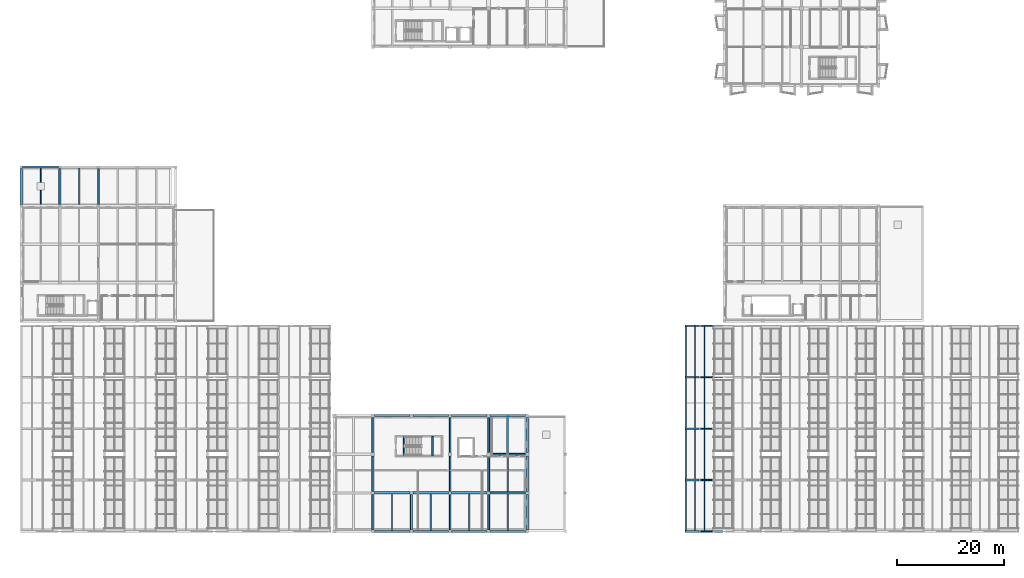
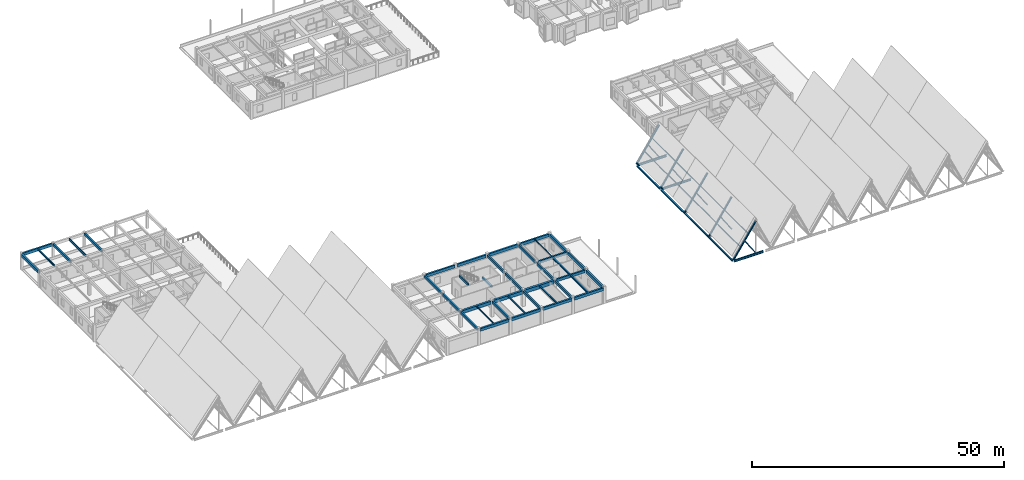
# One storey, part 29 of 99: 45 beams, 14 members.
"""IFC4 building model written with IfcOpenShell, lengths in metres."""

from ifc_helpers import new_model, si_unit, direction, frame, origin, origin_2d, place, context, subcontext, project, spatial, rectangle, hollow_rectangle, i_section, extrude, material, material_profile, profile_set, type_object, element, save


model = new_model("IFC4")

# Units and contexts
model_context = context("Model", 3, precision=1e-05, world=origin(), true_north=direction((0.0, 1.0)))
body_context = subcontext(model_context, "Body", "Model", "MODEL_VIEW")
ifc_project = project(units=[si_unit("LENGTHUNIT", "METRE"), si_unit("AREAUNIT", "SQUARE_METRE"), si_unit("VOLUMEUNIT", "CUBIC_METRE"), si_unit("PLANEANGLEUNIT", "RADIAN"), si_unit("MASSUNIT", "GRAM", prefix="KILO")], contexts=[model_context])

# Site, building, storey
site_placement = place(None, origin())
site = spatial("IfcSite", under=ifc_project, at=site_placement, CompositionType="ELEMENT")
building_placement = place(site_placement, origin())
building = spatial("IfcBuilding", under=site, at=building_placement, Name="Bramveld Media Centre", CompositionType="ELEMENT")
storey_placement = place(building_placement, frame((0.0, 0.0, 13.800048828125)))
storey = spatial("IfcBuildingStorey", under=building, at=storey_placement, Name="L03", CompositionType="ELEMENT", Elevation=13.800048828125)

# Beams
ifc_material_1 = material(Name="Concrete C40/50", Category="concrete")
ifc_material_profile_1 = material_profile(ifc_material_1, rectangle(XDim=0.300048828125, YDim=0.5, at=origin_2d()), Name="RC 300x500")
ifc_profile_set_1 = profile_set([ifc_material_profile_1], Name="Concrete C40/50")
beam_type_1 = type_object("IfcBeamType", Name="BM-INT-RC-300x500", PredefinedType="BEAM", material=ifc_profile_set_1)
for number, where, z_axis, x_axis, name in (
    (1, (71.449951171875, 14.10009765625, 3.949951171875), (0.0, 1.0, 0.0), (-1.0, 0.0, 0.0), "ST-06 L04 stairwell landing trimmer beam"),
    (2, (76.75, 14.10009765625, 1.64990234375), (0.0, 1.0, 0.0), (-1.0, 0.0, 0.0), "ST-06 L03 stairwell half-landing support beam"),
):
    element("IfcBeam", number, at=place(storey_placement, frame(where, z_axis=z_axis, x_axis=x_axis)), inside=storey, type_object=beam_type_1, Name=name, PredefinedType="BEAM", context=body_context, shape_type="SweptSolid", body=[
        extrude(rectangle(XDim=0.300048828125, YDim=0.5, at=origin_2d()), origin(), (0.0, 0.0, 1.0), 3.64990234375),
    ])
ifc_material_2 = material(Name="Concrete C40/50", Category="concrete")
ifc_material_profile_2 = material_profile(ifc_material_2, rectangle(XDim=0.35009765625, YDim=0.60009765625, at=origin_2d()), Name="RC 350x600")
ifc_profile_set_2 = profile_set([ifc_material_profile_2], Name="Concrete C40/50")
beam_type_2 = type_object("IfcBeamType", Name="BM-INT-RC-350x600", PredefinedType="BEAM", material=ifc_profile_set_2)
for number, where, z_axis, x_axis, name in (
    (3, (7.199951171875, 61.02490234375, 3.659912109375), (0.0, 1.0, 0.0), (-1.0, 0.0, 0.0), "V3 L03 girder Y-415"),
    (4, (14.39990234375, 61.02490234375, 3.659912109375), (0.0, 1.0, 0.0), (-1.0, 0.0, 0.0), "V3 L03 girder Y-419"),
):
    element("IfcBeam", number, at=place(storey_placement, frame(where, z_axis=z_axis, x_axis=x_axis)), inside=storey, type_object=beam_type_2, Name=name, PredefinedType="BEAM", context=body_context, shape_type="SweptSolid", body=[
        extrude(rectangle(XDim=0.35009765625, YDim=0.60009765625, at=origin_2d()), origin(), (0.0, 0.0, 1.0), 6.735107421875),
    ])
beam_1_placement = place(storey_placement, frame((65.60009765625, 0.2900390625, 3.579833984375), z_axis=(0.0, 1.0, 0.0), x_axis=(-1.0, 0.0, 0.0)))
element("IfcBeam", 5, at=beam_1_placement, inside=storey, type_object=beam_type_2, Name="V5 L03 girder Y-850", PredefinedType="BEAM", context=body_context, shape_type="SweptSolid", body=[
    extrude(rectangle(XDim=0.35009765625, YDim=0.60009765625, at=origin_2d()), origin(), (0.0, 0.0, 1.0), 6.60986328125),
])
beam_2_placement = place(storey_placement, frame((65.60009765625, 7.5, 3.579833984375), z_axis=(0.0, 1.0, 0.0), x_axis=(-1.0, 0.0, 0.0)))
element("IfcBeam", 6, at=beam_2_placement, inside=storey, type_object=beam_type_2, Name="V5 L03 girder Y-851", PredefinedType="BEAM", context=body_context, shape_type="SweptSolid", body=[
    extrude(rectangle(XDim=0.35009765625, YDim=0.60009765625, at=origin_2d()), origin(), (0.0, 0.0, 1.0), 6.60009765625),
])
beam_3_placement = place(storey_placement, frame((65.60009765625, 14.699951171875, 3.579833984375), z_axis=(0.0, 1.0, 0.0), x_axis=(-1.0, 0.0, 0.0)))
element("IfcBeam", 7, at=beam_3_placement, inside=storey, type_object=beam_type_2, Name="V5 L03 girder Y-852", PredefinedType="BEAM", context=body_context, shape_type="SweptSolid", body=[
    extrude(rectangle(XDim=0.35009765625, YDim=0.60009765625, at=origin_2d()), origin(), (0.0, 0.0, 1.0), 6.610107421875),
])
for number, where, z_axis, x_axis, name in (
    (8, (72.800048828125, 0.2900390625, 3.579833984375), (0.0, 1.0, 0.0), (-1.0, 0.0, 0.0), "V5 L03 girder Y-853"),
    (9, (80.0, 0.2900390625, 3.579833984375), (0.0, 1.0, 0.0), (-1.0, 0.0, 0.0), "V5 L03 girder Y-854"),
):
    element("IfcBeam", number, at=place(storey_placement, frame(where, z_axis=z_axis, x_axis=x_axis)), inside=storey, type_object=beam_type_2, Name=name, PredefinedType="BEAM", context=body_context, shape_type="SweptSolid", body=[
        extrude(rectangle(XDim=0.35009765625, YDim=0.60009765625, at=origin_2d()), origin(), (0.0, 0.0, 1.0), 6.60986328125),
    ])
beam_4_placement = place(storey_placement, frame((80.0, 7.5, 3.579833984375), z_axis=(0.0, 1.0, 0.0), x_axis=(-1.0, 0.0, 0.0)))
element("IfcBeam", 10, at=beam_4_placement, inside=storey, type_object=beam_type_2, Name="V5 L03 girder Y-855", PredefinedType="BEAM", context=body_context, shape_type="SweptSolid", body=[
    extrude(rectangle(XDim=0.35009765625, YDim=0.60009765625, at=origin_2d()), origin(), (0.0, 0.0, 1.0), 6.60009765625),
])
beam_5_placement = place(storey_placement, frame((80.0, 14.699951171875, 3.579833984375), z_axis=(0.0, 1.0, 0.0), x_axis=(-1.0, 0.0, 0.0)))
element("IfcBeam", 11, at=beam_5_placement, inside=storey, type_object=beam_type_2, Name="V5 L03 girder Y-856", PredefinedType="BEAM", context=body_context, shape_type="SweptSolid", body=[
    extrude(rectangle(XDim=0.35009765625, YDim=0.60009765625, at=origin_2d()), origin(), (0.0, 0.0, 1.0), 6.610107421875),
])
beam_6_placement = place(storey_placement, frame((87.199951171875, 0.2900390625, 3.579833984375), z_axis=(0.0, 1.0, 0.0), x_axis=(-1.0, 0.0, 0.0)))
element("IfcBeam", 12, at=beam_6_placement, inside=storey, type_object=beam_type_2, Name="V5 L03 girder Y-857", PredefinedType="BEAM", context=body_context, shape_type="SweptSolid", body=[
    extrude(rectangle(XDim=0.35009765625, YDim=0.60009765625, at=origin_2d()), origin(), (0.0, 0.0, 1.0), 6.60986328125),
])
beam_7_placement = place(storey_placement, frame((87.199951171875, 7.5, 3.579833984375), z_axis=(0.0, 1.0, 0.0), x_axis=(-1.0, 0.0, 0.0)))
element("IfcBeam", 13, at=beam_7_placement, inside=storey, type_object=beam_type_2, Name="V5 L03 girder Y-858", PredefinedType="BEAM", context=body_context, shape_type="SweptSolid", body=[
    extrude(rectangle(XDim=0.35009765625, YDim=0.60009765625, at=origin_2d()), origin(), (0.0, 0.0, 1.0), 6.60009765625),
])
beam_8_placement = place(storey_placement, frame((87.199951171875, 14.699951171875, 3.579833984375), z_axis=(0.0, 1.0, 0.0), x_axis=(-1.0, 0.0, 0.0)))
element("IfcBeam", 14, at=beam_8_placement, inside=storey, type_object=beam_type_2, Name="V5 L03 girder Y-859", PredefinedType="BEAM", context=body_context, shape_type="SweptSolid", body=[
    extrude(rectangle(XDim=0.35009765625, YDim=0.60009765625, at=origin_2d()), origin(), (0.0, 0.0, 1.0), 6.610107421875),
])
ifc_material_3 = material(Name="Concrete C40/50", Category="concrete")
ifc_material_profile_3 = material_profile(ifc_material_3, rectangle(XDim=0.35009765625, YDim=0.64990234375, at=origin_2d()), Name="RC 350x650")
ifc_profile_set_3 = profile_set([ifc_material_profile_3], Name="Concrete C40/50")
beam_type_3 = type_object("IfcBeamType", Name="BM-INT-RC-350x650", PredefinedType="BEAM", material=ifc_profile_set_3)
for number, where, z_axis, x_axis, name in (
    (15, (87.5, 7.199951171875, 3.554931640625), (1.0, 0.0, 0.0), (0.0, 1.0, 0.0), "V5 L03 girder X-839"),
    (16, (87.5, 14.39990234375, 3.554931640625), (1.0, 0.0, 0.0), (0.0, 1.0, 0.0), "V5 L03 girder X-841"),
):
    element("IfcBeam", number, at=place(storey_placement, frame(where, z_axis=z_axis, x_axis=x_axis)), inside=storey, type_object=beam_type_3, Name=name, PredefinedType="BEAM", context=body_context, shape_type="SweptSolid", body=[
        extrude(rectangle(XDim=0.35009765625, YDim=0.64990234375, at=origin_2d()), origin(), (0.0, 0.0, 1.0), 6.610107421875),
    ])
ifc_material_4 = material(Name="Concrete C40/50", Category="concrete")
ifc_material_profile_4 = material_profile(ifc_material_4, rectangle(XDim=0.449951171875, YDim=0.75, at=origin_2d()), Name="RC 450x750")
ifc_profile_set_4 = profile_set([ifc_material_profile_4], Name="Concrete C40/50")
beam_type_4 = type_object("IfcBeamType", Name="BM-INT-RC-450x750", PredefinedType="BEAM", material=ifc_profile_set_4)
beam_9_placement = place(storey_placement, frame((65.89990234375, 7.199951171875, 3.5048828125), z_axis=(1.0, 0.0, 0.0), x_axis=(0.0, 1.0, 0.0)))
element("IfcBeam", 17, at=beam_9_placement, inside=storey, type_object=beam_type_4, Name="V5 L03 girder X-836", PredefinedType="BEAM", context=body_context, shape_type="SweptSolid", body=[
    extrude(rectangle(XDim=0.449951171875, YDim=0.75, at=origin_2d()), origin(), (0.0, 0.0, 1.0), 6.60009765625),
])
ifc_material_5 = material(Name="Concrete C40/50", Category="concrete")
ifc_material_profile_5 = material_profile(ifc_material_5, rectangle(XDim=0.449951171875, YDim=0.800048828125, at=origin_2d()), Name="RC 450x800")
ifc_profile_set_5 = profile_set([ifc_material_profile_5], Name="Concrete C40/50")
beam_type_5 = type_object("IfcBeamType", Name="BM-INT-RC-450x800", PredefinedType="BEAM", material=ifc_profile_set_5)
beam_10_placement = place(storey_placement, frame((73.10009765625, 7.199951171875, 3.47998046875), z_axis=(1.0, 0.0, 0.0), x_axis=(0.0, 1.0, 0.0)))
element("IfcBeam", 18, at=beam_10_placement, inside=storey, type_object=beam_type_5, Name="V5 L03 girder X-837", PredefinedType="BEAM", context=body_context, shape_type="SweptSolid", body=[
    extrude(rectangle(XDim=0.449951171875, YDim=0.800048828125, at=origin_2d()), origin(), (0.0, 0.0, 1.0), 6.599853515625),
])
ifc_material_6 = material(Name="Concrete C40/50", Category="concrete")
ifc_material_profile_6 = material_profile(ifc_material_6, rectangle(XDim=0.5, YDim=0.85009765625, at=origin_2d()), Name="RC 500x850")
ifc_profile_set_6 = profile_set([ifc_material_profile_6], Name="Concrete C40/50")
beam_type_6 = type_object("IfcBeamType", Name="BM-INT-RC-500x850", PredefinedType="BEAM", material=ifc_profile_set_6)
beam_11_placement = place(storey_placement, frame((80.300048828125, 7.199951171875, 3.454833984375), z_axis=(1.0, 0.0, 0.0), x_axis=(0.0, 1.0, 0.0)))
element("IfcBeam", 19, at=beam_11_placement, inside=storey, type_object=beam_type_6, Name="V5 L03 girder X-838", PredefinedType="BEAM", context=body_context, shape_type="SweptSolid", body=[
    extrude(rectangle(XDim=0.5, YDim=0.85009765625, at=origin_2d()), origin(), (0.0, 0.0, 1.0), 6.599853515625),
])

# Members
ifc_material_7 = material(Name="Steel S355J2H", Category="steel")
ifc_material_profile_7 = material_profile(ifc_material_7, hollow_rectangle(XDim=0.14990234375, YDim=0.14990234375, WallThickness=0.010009765625, InnerFilletRadius=0.010009765625, OuterFilletRadius=0.02001953125, at=origin_2d()), Name="SHS 150x150x10")
ifc_profile_set_7 = profile_set([ifc_material_profile_7], Name="Steel S355J2H")
member_type_1 = type_object("IfcMemberType", Name="MEM-BRACE-SHS150", PredefinedType="BRACE", material=ifc_profile_set_7)
for number, where, z_axis, x_axis, name in (
    (20, (129.219970703125, 0.0, 0.0), (-0.556200017124, 0.0, 0.831048458847), (0.0, -1.0, 0.0), "TRUSS-V1-B01-F1 web diagonal"),
    (21, (129.219970703125, 9.60009765625, 0.0), (-0.556200017124, 0.0, 0.831048458847), (0.0, -1.0, 0.0), "TRUSS-V1-B01-F2 web diagonal"),
    (22, (129.219970703125, 19.199951171875, 0.0), (-0.556200017124, 0.0, 0.831048458847), (0.0, -1.0, 0.0), "TRUSS-V1-B01-F3 web diagonal"),
    (23, (129.219970703125, 28.800048828125, 0.0), (-0.556200017124, 0.0, 0.831048458847), (0.0, -1.0, 0.0), "TRUSS-V1-B01-F4 web diagonal"),
    (24, (129.219970703125, 38.39990234375, 0.0), (-0.556200017124, 0.0, 0.831048458847), (0.0, -1.0, 0.0), "TRUSS-V1-B01-F5 web diagonal"),
):
    element("IfcMember", number, at=place(storey_placement, frame(where, z_axis=z_axis, x_axis=x_axis)), inside=storey, type_object=member_type_1, Name=name, PredefinedType="BRACE", context=body_context, shape_type="SweptSolid", body=[
        extrude(hollow_rectangle(XDim=0.14990234375, YDim=0.14990234375, WallThickness=0.010009765625, InnerFilletRadius=0.010009765625, OuterFilletRadius=0.02001953125, at=origin_2d()), origin(), (0.0, 0.0, 1.0), 4.69287109375),
    ])
ifc_material_8 = material(Name="Steel S355J2", Category="steel")
ifc_material_profile_8 = material_profile(ifc_material_8, i_section(OverallWidth=0.300048828125, OverallDepth=0.340087890625, WebThickness=0.011962890625, FlangeThickness=0.021484375, FilletRadius=0.027099609375, at=origin_2d()), Name="HEB 340")
ifc_profile_set_8 = profile_set([ifc_material_profile_8], Name="Steel S355J2")
member_type_2 = type_object("IfcMemberType", Name="MEM-CHORD-HEB340", PredefinedType="CHORD", material=ifc_profile_set_8)
for number, where, z_axis, x_axis, name in (
    (25, (124.0, 0.0, 0.0), (0.556170027887, 0.0, 0.831068529112), (0.0, 1.0, 0.0), "TRUSS-V1-B01-F1 top rafter chord"),
    (26, (124.0, 9.60009765625, 0.0), (0.556170027887, 0.0, 0.831068529112), (0.0, 1.0, 0.0), "TRUSS-V1-B01-F2 top rafter chord"),
    (27, (124.0, 19.199951171875, 0.0), (0.556170027887, 0.0, 0.831068529112), (0.0, 1.0, 0.0), "TRUSS-V1-B01-F3 top rafter chord"),
    (28, (124.0, 28.800048828125, 0.0), (0.556170027887, 0.0, 0.831068529112), (0.0, 1.0, 0.0), "TRUSS-V1-B01-F4 top rafter chord"),
    (29, (124.0, 38.39990234375, 0.0), (0.556170027887, 0.0, 0.831068529112), (0.0, 1.0, 0.0), "TRUSS-V1-B01-F5 top rafter chord"),
):
    element("IfcMember", number, at=place(storey_placement, frame(where, z_axis=z_axis, x_axis=x_axis)), inside=storey, type_object=member_type_2, Name=name, PredefinedType="CHORD", context=body_context, shape_type="SweptSolid", body=[
        extrude(i_section(OverallWidth=0.300048828125, OverallDepth=0.340087890625, WebThickness=0.011962890625, FlangeThickness=0.021484375, FilletRadius=0.027099609375, at=origin_2d()), origin(), (0.0, 0.0, 1.0), 9.385498046875),
    ])
ifc_material_9 = material(Name="Steel S355J2", Category="steel")
ifc_material_profile_9 = material_profile(ifc_material_9, i_section(OverallWidth=0.10009765625, OverallDepth=0.199951171875, WebThickness=0.005615234375, FlangeThickness=0.008544921875, FilletRadius=0.011962890625, at=origin_2d()), Name="IPE 200")
ifc_profile_set_9 = profile_set([ifc_material_profile_9], Name="Steel S355J2")
member_type_3 = type_object("IfcMemberType", Name="MEM-PURLIN-IPE200", PredefinedType="PURLIN", material=ifc_profile_set_9)
member_1_placement = place(storey_placement, frame((125.72265625, 0.0, 2.666259765625), z_axis=(0.0, 1.0, 0.0), x_axis=(-1.0, 0.0, 0.0)))
element("IfcMember", 30, at=member_1_placement, inside=storey, type_object=member_type_3, Name="V1 roof purlin", PredefinedType="PURLIN", context=body_context, shape_type="SweptSolid", body=[
    extrude(i_section(OverallWidth=0.10009765625, OverallDepth=0.199951171875, WebThickness=0.005615234375, FlangeThickness=0.008544921875, FilletRadius=0.011962890625, at=origin_2d()), origin(), (0.0, 0.0, 1.0), 28.800048828125),
])
member_2_placement = place(storey_placement, frame((125.72265625, 28.800048828125, 2.666259765625), z_axis=(0.0, 1.0, 0.0), x_axis=(-1.0, 0.0, 0.0)))
element("IfcMember", 31, at=member_2_placement, inside=storey, type_object=member_type_3, Name="V1 roof purlin", PredefinedType="PURLIN", context=body_context, shape_type="SweptSolid", body=[
    extrude(i_section(OverallWidth=0.10009765625, OverallDepth=0.199951171875, WebThickness=0.005615234375, FlangeThickness=0.008544921875, FilletRadius=0.011962890625, at=origin_2d()), origin(), (0.0, 0.0, 1.0), 9.599853515625),
])
ifc_material_10 = material(Name="Steel S355J2", Category="steel")
ifc_material_profile_10 = material_profile(ifc_material_10, i_section(OverallWidth=0.1201171875, OverallDepth=0.239990234375, WebThickness=0.006103515625, FlangeThickness=0.009765625, FilletRadius=0.014892578125, at=origin_2d()), Name="IPE 240")
ifc_profile_set_10 = profile_set([ifc_material_profile_10], Name="Steel S355J2")
member_type_4 = type_object("IfcMemberType", Name="MEM-PURLIN-IPE240", PredefinedType="PURLIN", material=ifc_profile_set_10)
member_3_placement = place(storey_placement, frame((127.497314453125, 0.0, 5.283447265625), z_axis=(0.0, 1.0, 0.0), x_axis=(-1.0, 0.0, 0.0)))
element("IfcMember", 32, at=member_3_placement, inside=storey, type_object=member_type_4, Name="V1 roof purlin", PredefinedType="PURLIN", context=body_context, shape_type="SweptSolid", body=[
    extrude(i_section(OverallWidth=0.1201171875, OverallDepth=0.239990234375, WebThickness=0.006103515625, FlangeThickness=0.009765625, FilletRadius=0.014892578125, at=origin_2d()), origin(), (0.0, 0.0, 1.0), 28.800048828125),
])
member_4_placement = place(storey_placement, frame((127.497314453125, 28.800048828125, 5.283447265625), z_axis=(0.0, 1.0, 0.0), x_axis=(-1.0, 0.0, 0.0)))
element("IfcMember", 33, at=member_4_placement, inside=storey, type_object=member_type_4, Name="V1 roof purlin", PredefinedType="PURLIN", context=body_context, shape_type="SweptSolid", body=[
    extrude(i_section(OverallWidth=0.1201171875, OverallDepth=0.239990234375, WebThickness=0.006103515625, FlangeThickness=0.009765625, FilletRadius=0.014892578125, at=origin_2d()), origin(), (0.0, 0.0, 1.0), 9.599853515625),
])

# Beams
ifc_material_11 = material(Name="Steel S355J2", Category="steel")
ifc_material_profile_11 = material_profile(ifc_material_11, i_section(OverallWidth=0.300048828125, OverallDepth=0.35009765625, WebThickness=0.010009765625, FlangeThickness=0.017578125, FilletRadius=0.027099609375, at=origin_2d()), Name="HEA 360")
ifc_profile_set_11 = profile_set([ifc_material_profile_11], Name="Steel S355J2")
beam_type_7 = type_object("IfcBeamType", Name="SBM-EXT-HEA-360", PredefinedType="BEAM", material=ifc_profile_set_11)
beam_12_placement = place(storey_placement, frame((124.0, 0.139892578125, -0.175048828125), z_axis=(0.0, 1.0, 0.0), x_axis=(-1.0, 0.0, 0.0)))
element("IfcBeam", 34, at=beam_12_placement, inside=storey, type_object=beam_type_7, Name="V1 valley spine girder 0", PredefinedType="BEAM", context=body_context, shape_type="SweptSolid", body=[
    extrude(i_section(OverallWidth=0.300048828125, OverallDepth=0.35009765625, WebThickness=0.010009765625, FlangeThickness=0.017578125, FilletRadius=0.027099609375, at=origin_2d()), origin(), (0.0, 0.0, 1.0), 28.52001953125),
])
beam_13_placement = place(storey_placement, frame((124.0, 28.93994140625, -0.175048828125), z_axis=(0.0, 1.0, 0.0), x_axis=(-1.0, 0.0, 0.0)))
element("IfcBeam", 35, at=beam_13_placement, inside=storey, type_object=beam_type_7, Name="V1 valley spine girder 0", PredefinedType="BEAM", context=body_context, shape_type="SweptSolid", body=[
    extrude(i_section(OverallWidth=0.300048828125, OverallDepth=0.35009765625, WebThickness=0.010009765625, FlangeThickness=0.017578125, FilletRadius=0.027099609375, at=origin_2d()), origin(), (0.0, 0.0, 1.0), 9.320068359375),
])
ifc_material_12 = material(Name="Steel S355J2", Category="steel")
ifc_material_profile_12 = material_profile(ifc_material_12, i_section(OverallWidth=0.300048828125, OverallDepth=0.5, WebThickness=0.014404296875, FlangeThickness=0.028076171875, FilletRadius=0.027099609375, at=origin_2d()), Name="HEB 500")
ifc_profile_set_12 = profile_set([ifc_material_profile_12], Name="Steel S355J2")
beam_type_8 = type_object("IfcBeamType", Name="SBM-EXT-HEB-500", PredefinedType="BEAM", material=ifc_profile_set_12)
for number, where, z_axis, x_axis, name in (
    (36, (124.25, 0.0, -0.25), (1.0, 0.0, 0.0), (0.0, 1.0, 0.0), "V1 sawtooth tie girder"),
    (37, (124.25, 38.39990234375, -0.25), (1.0, 0.0, 0.0), (0.0, 1.0, 0.0), "V1 sawtooth tie girder"),
):
    element("IfcBeam", number, at=place(storey_placement, frame(where, z_axis=z_axis, x_axis=x_axis)), inside=storey, type_object=beam_type_8, Name=name, PredefinedType="BEAM", context=body_context, shape_type="SweptSolid", body=[
        extrude(i_section(OverallWidth=0.300048828125, OverallDepth=0.5, WebThickness=0.014404296875, FlangeThickness=0.028076171875, FilletRadius=0.027099609375, at=origin_2d()), origin(), (0.0, 0.0, 1.0), 6.699951171875),
    ])
ifc_material_13 = material(Name="Steel S355J2", Category="steel")
ifc_material_profile_13 = material_profile(ifc_material_13, i_section(OverallWidth=0.199951171875, OverallDepth=0.199951171875, WebThickness=0.009033203125, FlangeThickness=0.014892578125, FilletRadius=0.01806640625, at=origin_2d()), Name="HEB 200")
ifc_profile_set_13 = profile_set([ifc_material_profile_13], Name="Steel S355J2")
beam_type_9 = type_object("IfcBeamType", Name="SBM-INT-HEB-200", PredefinedType="BEAM", material=ifc_profile_set_13)
beam_14_placement = place(storey_placement, frame((69.199951171875, 0.18994140625, 3.780029296875), z_axis=(0.0, 1.0, 0.0), x_axis=(-1.0, 0.0, 0.0)))
element("IfcBeam", 38, at=beam_14_placement, inside=storey, type_object=beam_type_9, Name="V5 L03 secondary floor joist 866", PredefinedType="BEAM", context=body_context, shape_type="SweptSolid", body=[
    extrude(i_section(OverallWidth=0.199951171875, OverallDepth=0.199951171875, WebThickness=0.009033203125, FlangeThickness=0.014892578125, FilletRadius=0.01806640625, at=origin_2d()), origin(), (0.0, 0.0, 1.0), 6.78515625),
])
ifc_material_14 = material(Name="Steel S355J2", Category="steel")
ifc_material_profile_14 = material_profile(ifc_material_14, i_section(OverallWidth=0.219970703125, OverallDepth=0.219970703125, WebThickness=0.009521484375, FlangeThickness=0.01611328125, FilletRadius=0.01806640625, at=origin_2d()), Name="HEB 220")
ifc_profile_set_14 = profile_set([ifc_material_profile_14], Name="Steel S355J2")
beam_type_10 = type_object("IfcBeamType", Name="SBM-INT-HEB-220", PredefinedType="BEAM", material=ifc_profile_set_14)
beam_15_placement = place(storey_placement, frame((76.39990234375, 0.18994140625, 3.77001953125), z_axis=(0.0, 1.0, 0.0), x_axis=(-1.0, 0.0, 0.0)))
element("IfcBeam", 39, at=beam_15_placement, inside=storey, type_object=beam_type_10, Name="V5 L03 secondary floor joist 867", PredefinedType="BEAM", context=body_context, shape_type="SweptSolid", body=[
    extrude(i_section(OverallWidth=0.219970703125, OverallDepth=0.219970703125, WebThickness=0.009521484375, FlangeThickness=0.01611328125, FilletRadius=0.01806640625, at=origin_2d()), origin(), (0.0, 0.0, 1.0), 6.78515625),
])
ifc_material_15 = material(Name="Steel S355J2", Category="steel")
ifc_material_profile_15 = material_profile(ifc_material_15, i_section(OverallWidth=0.260009765625, OverallDepth=0.260009765625, WebThickness=0.010009765625, FlangeThickness=0.017578125, FilletRadius=0.02392578125, at=origin_2d()), Name="HEB 260")
ifc_profile_set_15 = profile_set([ifc_material_profile_15], Name="Steel S355J2")
beam_type_11 = type_object("IfcBeamType", Name="SBM-INT-HEB-260", PredefinedType="BEAM", material=ifc_profile_set_15)
beam_16_placement = place(storey_placement, frame((83.60009765625, 0.18994140625, 3.75), z_axis=(0.0, 1.0, 0.0), x_axis=(-1.0, 0.0, 0.0)))
element("IfcBeam", 40, at=beam_16_placement, inside=storey, type_object=beam_type_11, Name="V5 L03 secondary floor joist 868", PredefinedType="BEAM", context=body_context, shape_type="SweptSolid", body=[
    extrude(i_section(OverallWidth=0.260009765625, OverallDepth=0.260009765625, WebThickness=0.010009765625, FlangeThickness=0.017578125, FilletRadius=0.02392578125, at=origin_2d()), origin(), (0.0, 0.0, 1.0), 6.760009765625),
])
ifc_material_16 = material(Name="Steel S355J2", Category="steel")
ifc_material_profile_16 = material_profile(ifc_material_16, i_section(OverallWidth=0.300048828125, OverallDepth=0.320068359375, WebThickness=0.011474609375, FlangeThickness=0.0205078125, FilletRadius=0.027099609375, at=origin_2d()), Name="HEB 320")
ifc_profile_set_16 = profile_set([ifc_material_profile_16], Name="Steel S355J2")
beam_type_12 = type_object("IfcBeamType", Name="SBM-INT-HEB-320", PredefinedType="BEAM", material=ifc_profile_set_16)
beam_17_placement = place(storey_placement, frame((90.800048828125, 0.18994140625, 3.719970703125), z_axis=(0.0, 1.0, 0.0), x_axis=(-1.0, 0.0, 0.0)))
element("IfcBeam", 41, at=beam_17_placement, inside=storey, type_object=beam_type_12, Name="V5 L03 secondary floor joist 869", PredefinedType="BEAM", context=body_context, shape_type="SweptSolid", body=[
    extrude(i_section(OverallWidth=0.300048828125, OverallDepth=0.320068359375, WebThickness=0.011474609375, FlangeThickness=0.0205078125, FilletRadius=0.027099609375, at=origin_2d()), origin(), (0.0, 0.0, 1.0), 6.8349609375),
])
ifc_material_17 = material(Name="Steel S355J2", Category="steel")
ifc_material_profile_17 = material_profile(ifc_material_17, i_section(OverallWidth=0.300048828125, OverallDepth=0.360107421875, WebThickness=0.012451171875, FlangeThickness=0.0224609375, FilletRadius=0.027099609375, at=origin_2d()), Name="HEB 360")
ifc_profile_set_17 = profile_set([ifc_material_profile_17], Name="Steel S355J2")
beam_type_13 = type_object("IfcBeamType", Name="SBM-INT-HEB-360", PredefinedType="BEAM", material=ifc_profile_set_17)
beam_18_placement = place(storey_placement, frame((90.800048828125, 7.375, 3.699951171875), z_axis=(0.0, 1.0, 0.0), x_axis=(-1.0, 0.0, 0.0)))
element("IfcBeam", 42, at=beam_18_placement, inside=storey, type_object=beam_type_13, Name="V5 L03 secondary floor joist 870", PredefinedType="BEAM", context=body_context, shape_type="SweptSolid", body=[
    extrude(i_section(OverallWidth=0.300048828125, OverallDepth=0.360107421875, WebThickness=0.012451171875, FlangeThickness=0.0224609375, FilletRadius=0.027099609375, at=origin_2d()), origin(), (0.0, 0.0, 1.0), 6.85009765625),
])
ifc_material_18 = material(Name="Steel S355J2", Category="steel")
ifc_material_profile_18 = material_profile(ifc_material_18, i_section(OverallWidth=0.300048828125, OverallDepth=0.449951171875, WebThickness=0.013916015625, FlangeThickness=0.02587890625, FilletRadius=0.027099609375, at=origin_2d()), Name="HEB 450")
ifc_profile_set_18 = profile_set([ifc_material_profile_18], Name="Steel S355J2")
beam_type_14 = type_object("IfcBeamType", Name="SBM-INT-HEB-450", PredefinedType="BEAM", material=ifc_profile_set_18)
beam_19_placement = place(storey_placement, frame((124.25, 28.800048828125, -0.22509765625), z_axis=(1.0, 0.0, 0.0), x_axis=(0.0, 1.0, 0.0)))
element("IfcBeam", 43, at=beam_19_placement, inside=storey, type_object=beam_type_14, Name="V1 sawtooth tie girder", PredefinedType="BEAM", context=body_context, shape_type="SweptSolid", body=[
    extrude(i_section(OverallWidth=0.300048828125, OverallDepth=0.449951171875, WebThickness=0.013916015625, FlangeThickness=0.02587890625, FilletRadius=0.027099609375, at=origin_2d()), origin(), (0.0, 0.0, 1.0), 6.699951171875),
])
ifc_material_19 = material(Name="Steel S355J2", Category="steel")
ifc_material_profile_19 = material_profile(ifc_material_19, i_section(OverallWidth=0.091064453125, OverallDepth=0.179931640625, WebThickness=0.00537109375, FlangeThickness=0.008056640625, FilletRadius=0.009033203125, at=origin_2d()), Name="IPE 180")
ifc_profile_set_19 = profile_set([ifc_material_profile_19], Name="Steel S355J2")
beam_type_15 = type_object("IfcBeamType", Name="SBM-INT-IPE-180", PredefinedType="JOIST", material=ifc_profile_set_19)
beam_20_placement = place(storey_placement, frame((90.800048828125, 14.574951171875, 3.7900390625), z_axis=(0.0, 1.0, 0.0), x_axis=(-1.0, 0.0, 0.0)))
element("IfcBeam", 44, at=beam_20_placement, inside=storey, type_object=beam_type_15, Name="V5 L03 secondary floor joist 871", PredefinedType="JOIST", context=body_context, shape_type="SweptSolid", body=[
    extrude(i_section(OverallWidth=0.091064453125, OverallDepth=0.179931640625, WebThickness=0.00537109375, FlangeThickness=0.008056640625, FilletRadius=0.009033203125, at=origin_2d()), origin(), (0.0, 0.0, 1.0), 6.8349609375),
])
ifc_material_20 = material(Name="Steel S355J2", Category="steel")
ifc_material_profile_20 = material_profile(ifc_material_20, i_section(OverallWidth=0.18994140625, OverallDepth=0.449951171875, WebThickness=0.009521484375, FlangeThickness=0.0146484375, FilletRadius=0.02099609375, at=origin_2d()), Name="IPE 450")
ifc_profile_set_20 = profile_set([ifc_material_profile_20], Name="Steel S355J2")
beam_type_16 = type_object("IfcBeamType", Name="SBM-INT-IPE-450", PredefinedType="BEAM", material=ifc_profile_set_20)
beam_21_placement = place(storey_placement, frame((3.60009765625, 61.02490234375, 3.73486328125), z_axis=(0.0, 1.0, 0.0), x_axis=(-1.0, 0.0, 0.0)))
element("IfcBeam", 45, at=beam_21_placement, inside=storey, type_object=beam_type_16, Name="V3 L03 secondary floor joist 430", PredefinedType="BEAM", context=body_context, shape_type="SweptSolid", body=[
    extrude(i_section(OverallWidth=0.18994140625, OverallDepth=0.449951171875, WebThickness=0.009521484375, FlangeThickness=0.0146484375, FilletRadius=0.02099609375, at=origin_2d()), origin(), (0.0, 0.0, 1.0), 6.78515625),
])
ifc_material_21 = material(Name="Steel S355J2", Category="steel")
ifc_material_profile_21 = material_profile(ifc_material_21, i_section(OverallWidth=0.219970703125, OverallDepth=0.60009765625, WebThickness=0.011962890625, FlangeThickness=0.01904296875, FilletRadius=0.02392578125, at=origin_2d()), Name="IPE 600")
ifc_profile_set_21 = profile_set([ifc_material_profile_21], Name="Steel S355J2")
beam_type_17 = type_object("IfcBeamType", Name="SBM-INT-IPE-600", PredefinedType="BEAM", material=ifc_profile_set_21)
beam_22_placement = place(storey_placement, frame((10.800048828125, 61.02490234375, 3.659912109375), z_axis=(0.0, 1.0, 0.0), x_axis=(-1.0, 0.0, 0.0)))
element("IfcBeam", 46, at=beam_22_placement, inside=storey, type_object=beam_type_17, Name="V3 L03 secondary floor joist 433", PredefinedType="BEAM", context=body_context, shape_type="SweptSolid", body=[
    extrude(i_section(OverallWidth=0.219970703125, OverallDepth=0.60009765625, WebThickness=0.011962890625, FlangeThickness=0.01904296875, FilletRadius=0.02392578125, at=origin_2d()), origin(), (0.0, 0.0, 1.0), 6.78515625),
])
ifc_material_22 = material(Name="Concrete C40/50", Category="concrete")
ifc_material_profile_22 = material_profile(ifc_material_22, rectangle(XDim=0.3798828125, YDim=0.679931640625, at=origin_2d()), Name="RC 380x680")
ifc_profile_set_22 = profile_set([ifc_material_profile_22], Name="Concrete C40/50")
beam_type_18 = type_object("IfcBeamType", Name="SPANDREL-EXT-RC-380x680", PredefinedType="SPANDREL", material=ifc_profile_set_22)
beam_23_placement = place(storey_placement, frame((0.239990234375, 68.0, 3.619873046875), z_axis=(1.0, 0.0, 0.0), x_axis=(0.0, 1.0, 0.0)))
element("IfcBeam", 47, at=beam_23_placement, inside=storey, type_object=beam_type_18, Name="V3 L03 girder X-405", PredefinedType="SPANDREL", context=body_context, shape_type="SweptSolid", body=[
    extrude(rectangle(XDim=0.3798828125, YDim=0.679931640625, at=origin_2d()), origin(), (0.0, 0.0, 1.0), 6.719970703125),
])
beam_24_placement = place(storey_placement, frame((65.889892578125, 0.0, 3.5400390625), z_axis=(1.0, 0.0, 0.0), x_axis=(0.0, 1.0, 0.0)))
element("IfcBeam", 48, at=beam_24_placement, inside=storey, type_object=beam_type_18, Name="V5 L03 girder X-831", PredefinedType="SPANDREL", context=body_context, shape_type="SweptSolid", body=[
    extrude(rectangle(XDim=0.3798828125, YDim=0.679931640625, at=origin_2d()), origin(), (0.0, 0.0, 1.0), 6.6201171875),
])
for number, where, z_axis, x_axis, name in (
    (49, (73.090087890625, 0.0, 3.5400390625), (1.0, 0.0, 0.0), (0.0, 1.0, 0.0), "V5 L03 girder X-832"),
    (50, (80.2900390625, 0.0, 3.5400390625), (1.0, 0.0, 0.0), (0.0, 1.0, 0.0), "V5 L03 girder X-833"),
):
    element("IfcBeam", number, at=place(storey_placement, frame(where, z_axis=z_axis, x_axis=x_axis)), inside=storey, type_object=beam_type_18, Name=name, PredefinedType="SPANDREL", context=body_context, shape_type="SweptSolid", body=[
        extrude(rectangle(XDim=0.3798828125, YDim=0.679931640625, at=origin_2d()), origin(), (0.0, 0.0, 1.0), 6.619873046875),
    ])
for number, where, z_axis, x_axis, name in (
    (51, (87.489990234375, 0.0, 3.5400390625), (1.0, 0.0, 0.0), (0.0, 1.0, 0.0), "V5 L03 girder X-834"),
    (52, (65.889892578125, 21.60009765625, 3.5400390625), (1.0, 0.0, 0.0), (0.0, 1.0, 0.0), "V5 L03 girder X-843"),
):
    element("IfcBeam", number, at=place(storey_placement, frame(where, z_axis=z_axis, x_axis=x_axis)), inside=storey, type_object=beam_type_18, Name=name, PredefinedType="SPANDREL", context=body_context, shape_type="SweptSolid", body=[
        extrude(rectangle(XDim=0.3798828125, YDim=0.679931640625, at=origin_2d()), origin(), (0.0, 0.0, 1.0), 6.6201171875),
    ])
for number, where, z_axis, x_axis, name in (
    (53, (73.090087890625, 21.60009765625, 3.5400390625), (1.0, 0.0, 0.0), (0.0, 1.0, 0.0), "V5 L03 girder X-844"),
    (54, (80.2900390625, 21.60009765625, 3.5400390625), (1.0, 0.0, 0.0), (0.0, 1.0, 0.0), "V5 L03 girder X-845"),
):
    element("IfcBeam", number, at=place(storey_placement, frame(where, z_axis=z_axis, x_axis=x_axis)), inside=storey, type_object=beam_type_18, Name=name, PredefinedType="SPANDREL", context=body_context, shape_type="SweptSolid", body=[
        extrude(rectangle(XDim=0.3798828125, YDim=0.679931640625, at=origin_2d()), origin(), (0.0, 0.0, 1.0), 6.619873046875),
    ])
beam_25_placement = place(storey_placement, frame((87.489990234375, 21.60009765625, 3.5400390625), z_axis=(1.0, 0.0, 0.0), x_axis=(0.0, 1.0, 0.0)))
element("IfcBeam", 55, at=beam_25_placement, inside=storey, type_object=beam_type_18, Name="V5 L03 girder X-846", PredefinedType="SPANDREL", context=body_context, shape_type="SweptSolid", body=[
    extrude(rectangle(XDim=0.3798828125, YDim=0.679931640625, at=origin_2d()), origin(), (0.0, 0.0, 1.0), 6.6201171875),
])
ifc_material_23 = material(Name="Concrete C40/50", Category="concrete")
ifc_material_profile_23 = material_profile(ifc_material_23, rectangle(XDim=0.419921875, YDim=0.719970703125, at=origin_2d()), Name="RC 420x720")
ifc_profile_set_23 = profile_set([ifc_material_profile_23], Name="Concrete C40/50")
beam_type_19 = type_object("IfcBeamType", Name="SPANDREL-EXT-RC-420x720", PredefinedType="SPANDREL", material=ifc_profile_set_23)
beam_26_placement = place(storey_placement, frame((0.0, 61.0400390625, 3.599853515625), z_axis=(0.0, 1.0, 0.0), x_axis=(-1.0, 0.0, 0.0)))
element("IfcBeam", 56, at=beam_26_placement, inside=storey, type_object=beam_type_19, Name="V3 L03 girder Y-412", PredefinedType="SPANDREL", context=body_context, shape_type="SweptSolid", body=[
    extrude(rectangle(XDim=0.419921875, YDim=0.719970703125, at=origin_2d()), origin(), (0.0, 0.0, 1.0), 6.719970703125),
])
beam_27_placement = place(storey_placement, frame((94.39990234375, 0.2900390625, 3.52001953125), z_axis=(0.0, 1.0, 0.0), x_axis=(-1.0, 0.0, 0.0)))
element("IfcBeam", 57, at=beam_27_placement, inside=storey, type_object=beam_type_19, Name="V5 L03 girder Y-860", PredefinedType="SPANDREL", context=body_context, shape_type="SweptSolid", body=[
    extrude(rectangle(XDim=0.419921875, YDim=0.719970703125, at=origin_2d()), origin(), (0.0, 0.0, 1.0), 6.619873046875),
])
for number, where, z_axis, x_axis, name in (
    (58, (94.39990234375, 7.489990234375, 3.52001953125), (0.0, 1.0, 0.0), (-1.0, 0.0, 0.0), "V5 L03 girder Y-861"),
    (59, (94.39990234375, 14.68994140625, 3.52001953125), (0.0, 1.0, 0.0), (-1.0, 0.0, 0.0), "V5 L03 girder Y-862"),
):
    element("IfcBeam", number, at=place(storey_placement, frame(where, z_axis=z_axis, x_axis=x_axis)), inside=storey, type_object=beam_type_19, Name=name, PredefinedType="SPANDREL", context=body_context, shape_type="SweptSolid", body=[
        extrude(rectangle(XDim=0.419921875, YDim=0.719970703125, at=origin_2d()), origin(), (0.0, 0.0, 1.0), 6.6201171875),
    ])

save(model, "model.ifc")
